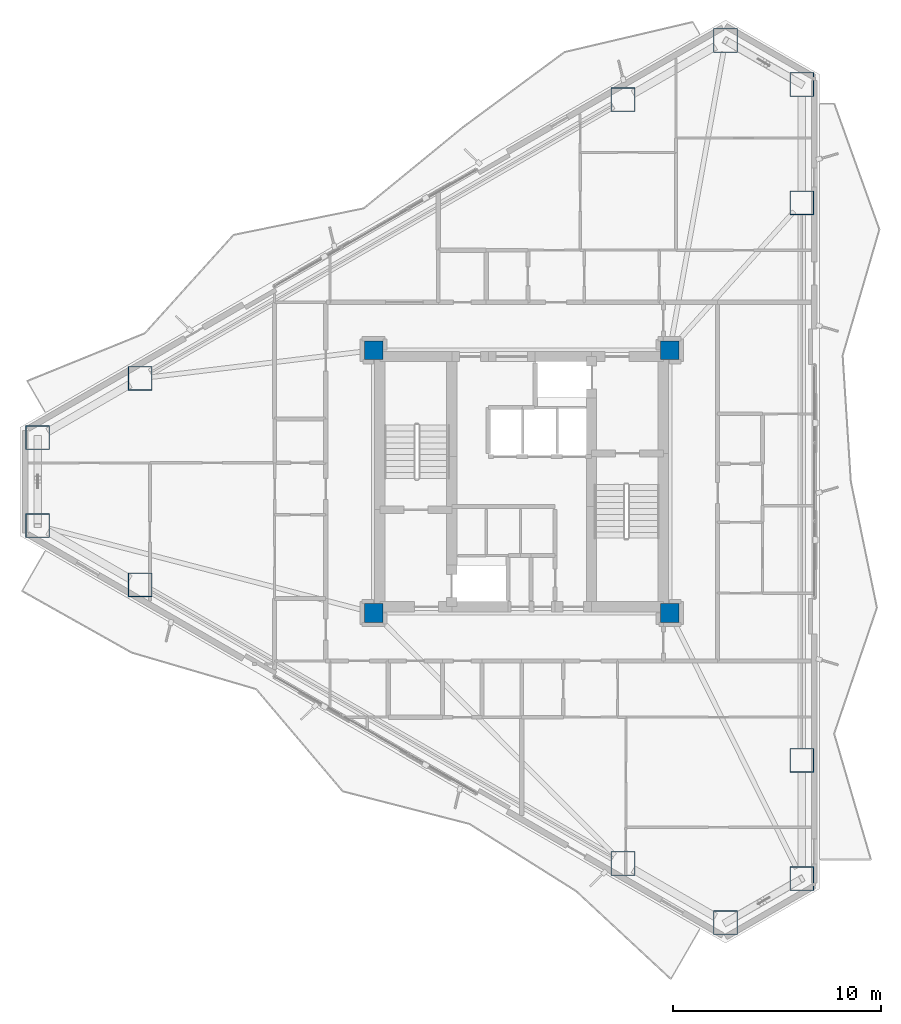
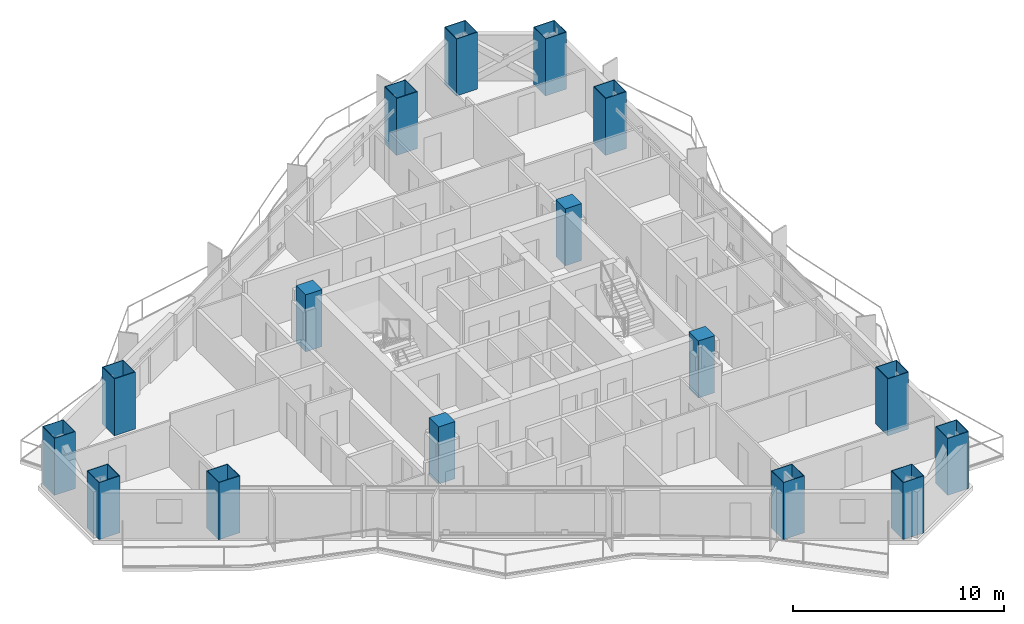
# One storey, part 1 of 22: 16 columns.
"""IFC4 building model written with IfcOpenShell, lengths in metres."""

from ifc_helpers import new_model, si_unit, direction, frame, origin, origin_2d, place, context, subcontext, project, spatial, rectangle, hollow_rectangle, extrude, material, material_profile, profile_set, type_object, element, save


model = new_model("IFC4")

# Units and contexts
model_context = context("Model", 3, precision=1e-05, world=origin(), true_north=direction((0.0, 1.0)))
body_context = subcontext(model_context, "Body", "Model", "MODEL_VIEW")
ifc_project = project(units=[si_unit("LENGTHUNIT", "METRE"), si_unit("AREAUNIT", "SQUARE_METRE"), si_unit("VOLUMEUNIT", "CUBIC_METRE"), si_unit("PLANEANGLEUNIT", "RADIAN"), si_unit("MASSUNIT", "GRAM", prefix="KILO")], contexts=[model_context])

# Site, building, storey
site_placement = place(None, origin())
site = spatial("IfcSite", under=ifc_project, at=site_placement, CompositionType="ELEMENT")
building_placement = place(site_placement, origin())
building = spatial("IfcBuilding", under=site, at=building_placement, Name="Mersakhor Tower and Convention Hall", CompositionType="ELEMENT")
storey_placement = place(building_placement, frame((0.0, 0.0, 76.800048828125)))
storey = spatial("IfcBuildingStorey", under=building, at=storey_placement, Name="L20", CompositionType="ELEMENT", Elevation=76.800048828125)

# Columns
ifc_material_1 = material(Name="Concrete C60/75 in S460M steel box", Category="concrete")
ifc_material_profile_1 = material_profile(ifc_material_1, hollow_rectangle(XDim=1.14990234375, YDim=1.14990234375, WallThickness=0.031982421875, at=origin_2d()), Name="SHS 1150x1150x32")
ifc_profile_set_1 = profile_set([ifc_material_profile_1], Name="Concrete C60/75 in S460M steel box")
column_type_1 = type_object("IfcColumnType", Name="COL-CFT-1150", PredefinedType="COLUMN", material=ifc_profile_set_1)
for number, where, z_axis, x_axis, name in (
    (1, (5.78662109375, 28.86083984375, 0.0), (0.0, 0.0, 1.0), (1.0, 0.0, 0.0), "L20 Perimeter Mega-Column MC-01"),
    (2, (10.702392578125, 31.698974609375, 0.0), (0.0, 0.0, 1.0), (1.0, 0.0, 0.0), "L20 Perimeter Mega-Column MC-02"),
    (3, (33.86279296875, 45.070556640625, 0.0), (0.0, 0.0, 1.0), (1.0, 0.0, 0.0), "L20 Perimeter Mega-Column MC-03"),
    (4, (38.77880859375, 47.90869140625, 0.0), (0.0, 0.0, 1.0), (1.0, 0.0, 0.0), "L20 Perimeter Mega-Column MC-04"),
    (5, (42.4345703125, 45.798095703125, 0.0), (0.0, 0.0, 1.0), (1.0, 0.0, 0.0), "L20 Perimeter Mega-Column MC-05"),
    (6, (42.4345703125, 40.12158203125, 0.0), (0.0, 0.0, 1.0), (1.0, 0.0, 0.0), "L20 Perimeter Mega-Column MC-06"),
    (7, (42.4345703125, 13.37841796875, 0.0), (0.0, 0.0, 1.0), (1.0, 0.0, 0.0), "L20 Perimeter Mega-Column MC-07"),
    (8, (42.4345703125, 7.701904296875, 0.0), (0.0, 0.0, 1.0), (1.0, 0.0, 0.0), "L20 Perimeter Mega-Column MC-08"),
    (9, (38.77880859375, 5.59130859375, 0.0), (0.0, 0.0, 1.0), (1.0, 0.0, 0.0), "L20 Perimeter Mega-Column MC-09"),
    (10, (33.86279296875, 8.429443359375, 0.0), (0.0, 0.0, 1.0), (1.0, 0.0, 0.0), "L20 Perimeter Mega-Column MC-10"),
    (11, (10.702392578125, 21.801025390625, 0.0), (0.0, 0.0, 1.0), (1.0, 0.0, 0.0), "L20 Perimeter Mega-Column MC-11"),
    (12, (5.78662109375, 24.63916015625, 0.0), (0.0, 0.0, 1.0), (1.0, 0.0, 0.0), "L20 Perimeter Mega-Column MC-12"),
):
    element("IfcColumn", number, at=place(storey_placement, frame(where, z_axis=z_axis, x_axis=x_axis)), inside=storey, type_object=column_type_1, Name=name, PredefinedType="COLUMN", context=body_context, shape_type="SweptSolid", body=[
        extrude(hollow_rectangle(XDim=1.14990234375, YDim=1.14990234375, WallThickness=0.031982421875, at=origin_2d()), origin(), (0.0, 0.0, 1.0), 3.300048828125),
    ])
ifc_material_2 = material(Name="Concrete C60/75", Category="concrete")
ifc_material_profile_2 = material_profile(ifc_material_2, rectangle(XDim=0.89990234375, YDim=0.89990234375, at=origin_2d()), Name="RC 900x900")
ifc_profile_set_2 = profile_set([ifc_material_profile_2], Name="Concrete C60/75")
column_type_2 = type_object("IfcColumnType", Name="COL-RC-900", PredefinedType="COLUMN", material=ifc_profile_set_2)
for number, where, z_axis, x_axis, name in (
    (13, (21.89990234375, 20.449951171875, 0.0), (0.0, 0.0, 1.0), (1.0, 0.0, 0.0), "L20 Core Corner Column CC-1"),
    (14, (21.89990234375, 33.050048828125, 0.0), (0.0, 0.0, 1.0), (1.0, 0.0, 0.0), "L20 Core Corner Column CC-2"),
    (15, (36.10009765625, 33.050048828125, 0.0), (0.0, 0.0, 1.0), (1.0, 0.0, 0.0), "L20 Core Corner Column CC-3"),
    (16, (36.10009765625, 20.449951171875, 0.0), (0.0, 0.0, 1.0), (1.0, 0.0, 0.0), "L20 Core Corner Column CC-4"),
):
    element("IfcColumn", number, at=place(storey_placement, frame(where, z_axis=z_axis, x_axis=x_axis)), inside=storey, type_object=column_type_2, Name=name, PredefinedType="COLUMN", context=body_context, shape_type="SweptSolid", body=[
        extrude(rectangle(XDim=0.89990234375, YDim=0.89990234375, at=origin_2d()), origin(), (0.0, 0.0, 1.0), 3.300048828125),
    ])

save(model, "model.ifc")
